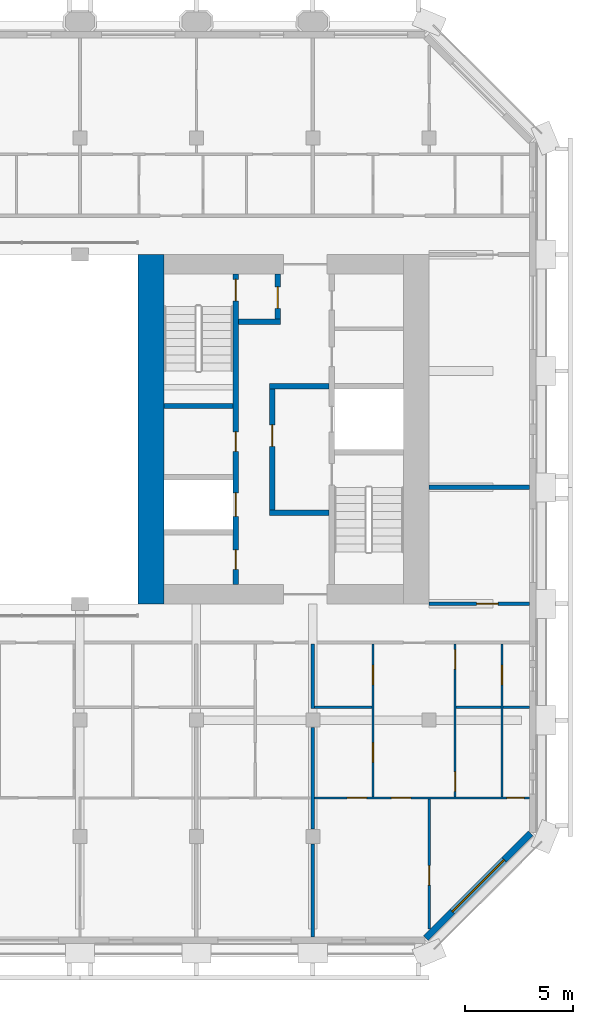
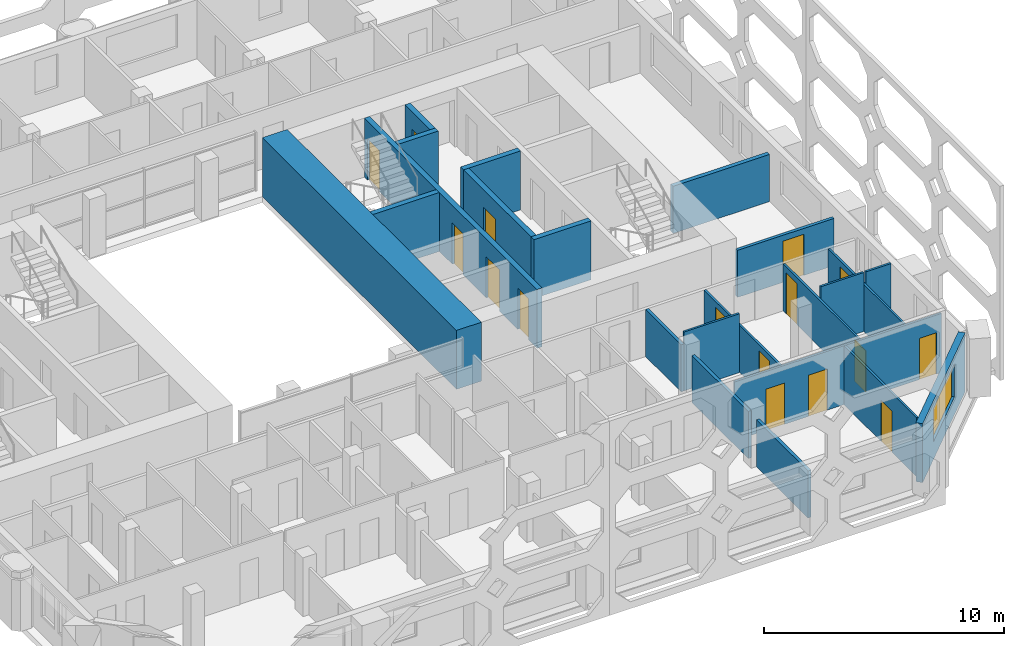
# One storey, part 8 of 15: 22 walls, 16 doors, 1 window, 17 openings.
"""IFC4 building model written with IfcOpenShell, lengths in metres."""

from ifc_helpers import new_model, si_unit, direction, frame, frame_2d, origin, place, context, subcontext, project, spatial, rectangle, extrude, material, layer, layer_set, type_object, element, fill, save


model = new_model("IFC4")

# Units and contexts
model_context = context("Model", 3, precision=1e-05, world=origin(), true_north=direction((0.0, 1.0)))
body_context = subcontext(model_context, "Body", "Model", "MODEL_VIEW")
ifc_project = project(units=[si_unit("LENGTHUNIT", "METRE"), si_unit("AREAUNIT", "SQUARE_METRE"), si_unit("VOLUMEUNIT", "CUBIC_METRE"), si_unit("PLANEANGLEUNIT", "RADIAN"), si_unit("MASSUNIT", "GRAM", prefix="KILO")], contexts=[model_context])

# Site, building, storey
site_placement = place(None, origin())
site = spatial("IfcSite", under=ifc_project, at=site_placement, CompositionType="ELEMENT")
building_placement = place(site_placement, origin())
building = spatial("IfcBuilding", under=site, at=building_placement, Name="Tabaq Tower and Sports Hall", CompositionType="ELEMENT")
storey_placement = place(building_placement, frame((0.0, 0.0, 278.5)))
storey = spatial("IfcBuildingStorey", under=building, at=storey_placement, Name="L68", CompositionType="ELEMENT", Elevation=278.5)

# Walls
ifc_material_1 = material(Name="Concrete C40/50", Category="concrete")
ifc_layer_1 = layer(ifc_material_1, 1.199951171875)
ifc_layer_set_1 = layer_set([ifc_layer_1], Name="Core wall 1200 Concrete C40/50")
wall_type_1 = type_object("IfcWallType", Name="Core wall 1200 Concrete C40/50", PredefinedType="SOLIDWALL", material=ifc_layer_set_1)
wall_1_placement = place(storey_placement, frame((30.300048828125, 16.199951171875, 0.0), z_axis=(0.0, 0.0, 1.0), x_axis=(0.0, 1.0, 0.0)))
element("IfcWall", 1, at=wall_1_placement, inside=storey, type_object=wall_type_1, Name="Core wall E L68", PredefinedType="SOLIDWALL", context=body_context, shape_type="SweptSolid", body=[
    extrude(rectangle(XDim=16.199951171875, YDim=1.199951171875, at=frame_2d((8.10009765625, 0.0))), origin(), (0.0, 0.0, 1.0), 3.0),
])
ifc_material_2 = material(Name="Blockwork", Category="masonry")
ifc_layer_2 = layer(ifc_material_2, 0.199951171875)
ifc_layer_set_2 = layer_set([ifc_layer_2], Name="Fire compartment wall 200 Blockwork")
wall_type_2 = type_object("IfcWallType", Name="Fire compartment wall 200 Blockwork", PredefinedType="PARTITIONING", material=ifc_layer_set_2)
wall_2_placement = place(storey_placement, frame((43.199951171875, 21.60009765625, 0.0), z_axis=(0.0, 0.0, 1.0), x_axis=(1.0, 0.0, 0.0)))
element("IfcWall", 2, at=wall_2_placement, inside=storey, type_object=wall_type_2, Name="Compartment wall L68", PredefinedType="PARTITIONING", context=body_context, shape_type="SweptSolid", body=[
    extrude(rectangle(XDim=4.649169921875, YDim=0.199951171875, at=frame_2d((2.32470703125, 0.0))), origin(), (0.0, 0.0, 1.0), 2.39990234375),
])

# Wall, opening, door
ifc_material_3 = material(Name="Gypsum board on steel studs", Category="steel")
ifc_layer_3 = layer(ifc_material_3, 0.10009765625)
ifc_layer_set_3 = layer_set([ifc_layer_3], Name="Partition 100 Gypsum board")
wall_type_3 = type_object("IfcWallType", Name="Partition 100 Gypsum board", PredefinedType="PARTITIONING", material=ifc_layer_set_3)
wall_3_placement = place(storey_placement, frame((43.199951171875, 1.112060546875, 0.0), z_axis=(0.0, 0.0, 1.0), x_axis=(0.0, 1.0, 0.0)))
wall_3 = element("IfcWall", 3, at=wall_3_placement, inside=storey, type_object=wall_type_3, Name="Partition wall L68", PredefinedType="PARTITIONING", context=body_context, shape_type="SweptSolid", body=[
    extrude(rectangle(XDim=6.037841796875, YDim=0.10009765625, at=frame_2d((3.01904296875, 0.0))), origin(), (0.0, 0.0, 1.0), 3.0),
])
opening_1_placement = place(wall_3_placement, frame((2.037841796875, 0.0, 0.0)))
opening_1 = element("IfcOpeningElement", 4, at=opening_1_placement, cuts=wall_3, Name="Opening L68-047", PredefinedType="OPENING", context=body_context, shape_type="SweptSolid", body=[
    extrude(rectangle(XDim=0.89990234375, YDim=2.10009765625, at=frame_2d((0.449951171875, 1.050048828125))), frame((0.0, 0.050048828125, 0.0), z_axis=(0.0, -1.0, 0.0), x_axis=(1.0, 0.0, 0.0)), (0.0, 0.0, 1.0), 0.10009765625),
])
ifc_material_4 = material(Name="Timber leaf in steel frame", Category="steel")
door_type_1 = type_object("IfcDoorType", Name="Internal door 900 left hand", OperationType="SINGLE_SWING_LEFT", PredefinedType="DOOR", material=ifc_material_4)
door_1_placement = place(opening_1_placement, origin())
door_1 = element("IfcDoor", 5, at=door_1_placement, inside=storey, type_object=door_type_1, Name="Internal door L68-047", OperationType="SINGLE_SWING_LEFT", OverallHeight=2.10009765625, OverallWidth=0.89990234375, PredefinedType="DOOR", context=body_context, shape_type="SweptSolid", body=[
    extrude(rectangle(XDim=0.89990234375, YDim=2.10009765625, at=frame_2d((0.449951171875, 1.050048828125))), frame((0.0, 0.02490234375, 0.0), z_axis=(0.0, -1.0, 0.0), x_axis=(1.0, 0.0, 0.0)), (0.0, 0.0, 1.0), 0.050048828125),
])
fill(opening_1, door_1)

# Wall, openings, doors
wall_4_placement = place(storey_placement, frame((47.84912109375, 7.199951171875, 0.0), z_axis=(0.0, 0.0, 1.0), x_axis=(-1.0, 0.0, 0.0)))
wall_4 = element("IfcWall", 6, at=wall_4_placement, inside=storey, type_object=wall_type_3, Name="Partition wall L68", PredefinedType="PARTITIONING", context=body_context, shape_type="SweptSolid", body=[
    extrude(rectangle(XDim=9.97412109375, YDim=0.10009765625, at=frame_2d((4.987060546875, 0.0))), origin(), (0.0, 0.0, 1.0), 3.0),
])
opening_2_placement = place(wall_4_placement, frame((7.554931640625, 0.0, 0.0)))
opening_2 = element("IfcOpeningElement", 7, at=opening_2_placement, cuts=wall_4, Name="Opening L68-048", PredefinedType="OPENING", context=body_context, shape_type="SweptSolid", body=[
    extrude(rectangle(XDim=0.89990234375, YDim=2.10009765625, at=frame_2d((0.449951171875, 1.050048828125))), frame((0.0, 0.050048828125, 0.0), z_axis=(0.0, -1.0, 0.0), x_axis=(1.0, 0.0, 0.0)), (0.0, 0.0, 1.0), 0.10009765625),
])
opening_3_placement = place(wall_4_placement, frame((5.501953125, 0.0, 0.0)))
opening_3 = element("IfcOpeningElement", 8, at=opening_3_placement, cuts=wall_4, Name="Opening L68-056", PredefinedType="OPENING", context=body_context, shape_type="SweptSolid", body=[
    extrude(rectangle(XDim=0.89990234375, YDim=2.10009765625, at=frame_2d((0.449951171875, 1.050048828125))), frame((0.0, 0.050048828125, 0.0), z_axis=(0.0, -1.0, 0.0), x_axis=(1.0, 0.0, 0.0)), (0.0, 0.0, 1.0), 0.10009765625),
])
opening_4_placement = place(wall_4_placement, frame((0.25, 0.0, 0.0)))
opening_4 = element("IfcOpeningElement", 9, at=opening_4_placement, cuts=wall_4, Name="Opening L68-066", PredefinedType="OPENING", context=body_context, shape_type="SweptSolid", body=[
    extrude(rectangle(XDim=0.800048828125, YDim=2.10009765625, at=frame_2d((0.39990234375, 1.050048828125))), frame((0.0, 0.050048828125, 0.0), z_axis=(0.0, -1.0, 0.0), x_axis=(1.0, 0.0, 0.0)), (0.0, 0.0, 1.0), 0.10009765625),
])
ifc_material_5 = material(Name="Timber leaf in steel frame", Category="steel")
door_type_2 = type_object("IfcDoorType", Name="Internal door 800 right hand", OperationType="SINGLE_SWING_RIGHT", PredefinedType="DOOR", material=ifc_material_5)
door_2_placement = place(opening_4_placement, origin())
door_2 = element("IfcDoor", 10, at=door_2_placement, inside=storey, type_object=door_type_2, Name="Internal door L68-066", OperationType="SINGLE_SWING_RIGHT", OverallHeight=2.10009765625, OverallWidth=0.800048828125, PredefinedType="DOOR", context=body_context, shape_type="SweptSolid", body=[
    extrude(rectangle(XDim=0.800048828125, YDim=2.10009765625, at=frame_2d((0.39990234375, 1.050048828125))), frame((0.0, 0.02490234375, 0.0), z_axis=(0.0, -1.0, 0.0), x_axis=(1.0, 0.0, 0.0)), (0.0, 0.0, 1.0), 0.050048828125),
])
fill(opening_4, door_2)
door_3_placement = place(opening_2_placement, origin())
door_3 = element("IfcDoor", 11, at=door_3_placement, inside=storey, type_object=door_type_1, Name="Internal door L68-048", OperationType="SINGLE_SWING_LEFT", OverallHeight=2.10009765625, OverallWidth=0.89990234375, PredefinedType="DOOR", context=body_context, shape_type="SweptSolid", body=[
    extrude(rectangle(XDim=0.89990234375, YDim=2.10009765625, at=frame_2d((0.449951171875, 1.050048828125))), frame((0.0, 0.02490234375, 0.0), z_axis=(0.0, -1.0, 0.0), x_axis=(1.0, 0.0, 0.0)), (0.0, 0.0, 1.0), 0.050048828125),
])
fill(opening_2, door_3)
ifc_material_6 = material(Name="Timber leaf in steel frame", Category="steel")
door_type_3 = type_object("IfcDoorType", Name="Internal door 900 right hand", OperationType="SINGLE_SWING_RIGHT", PredefinedType="DOOR", material=ifc_material_6)
door_4_placement = place(opening_3_placement, origin())
door_4 = element("IfcDoor", 12, at=door_4_placement, inside=storey, type_object=door_type_3, Name="Internal door L68-056", OperationType="SINGLE_SWING_RIGHT", OverallHeight=2.10009765625, OverallWidth=0.89990234375, PredefinedType="DOOR", context=body_context, shape_type="SweptSolid", body=[
    extrude(rectangle(XDim=0.89990234375, YDim=2.10009765625, at=frame_2d((0.449951171875, 1.050048828125))), frame((0.0, 0.02490234375, 0.0), z_axis=(0.0, -1.0, 0.0), x_axis=(1.0, 0.0, 0.0)), (0.0, 0.0, 1.0), 0.050048828125),
])
fill(opening_3, door_4)

# Wall
wall_5_placement = place(storey_placement, frame((40.5439453125, 11.39990234375, 0.0), z_axis=(0.0, 0.0, 1.0), x_axis=(-1.0, 0.0, 0.0)))
element("IfcWall", 13, at=wall_5_placement, inside=storey, type_object=wall_type_3, Name="Partition wall L68", PredefinedType="PARTITIONING", context=body_context, shape_type="SweptSolid", body=[
    extrude(rectangle(XDim=2.6689453125, YDim=0.10009765625, at=frame_2d((1.33447265625, 0.0))), origin(), (0.0, 0.0, 1.0), 3.0),
])

# Wall, openings, doors
wall_6_placement = place(storey_placement, frame((40.593994140625, 7.25, 0.0), z_axis=(0.0, 0.0, 1.0), x_axis=(0.0, 1.0, 0.0)))
wall_6 = element("IfcWall", 14, at=wall_6_placement, inside=storey, type_object=wall_type_3, Name="Partition wall L68", PredefinedType="PARTITIONING", context=body_context, shape_type="SweptSolid", body=[
    extrude(rectangle(XDim=7.074951171875, YDim=0.10009765625, at=frame_2d((3.53759765625, 0.0))), origin(), (0.0, 0.0, 1.0), 2.39990234375),
])
opening_5_placement = place(wall_6_placement, frame((5.199951171875, 0.0, 0.0)))
opening_5 = element("IfcOpeningElement", 15, at=opening_5_placement, cuts=wall_6, Name="Opening L68-020", PredefinedType="OPENING", context=body_context, shape_type="SweptSolid", body=[
    extrude(rectangle(XDim=0.89990234375, YDim=2.10009765625, at=frame_2d((0.449951171875, 1.050048828125))), frame((0.0, 0.050048828125, 0.0), z_axis=(0.0, -1.0, 0.0), x_axis=(1.0, 0.0, 0.0)), (0.0, 0.0, 1.0), 0.10009765625),
])
opening_6_placement = place(wall_6_placement, frame((1.60009765625, 0.0, 0.0)))
opening_6 = element("IfcOpeningElement", 16, at=opening_6_placement, cuts=wall_6, Name="Opening L68-049", PredefinedType="OPENING", context=body_context, shape_type="SweptSolid", body=[
    extrude(rectangle(XDim=0.89990234375, YDim=2.10009765625, at=frame_2d((0.449951171875, 1.050048828125))), frame((0.0, 0.050048828125, 0.0), z_axis=(0.0, -1.0, 0.0), x_axis=(1.0, 0.0, 0.0)), (0.0, 0.0, 1.0), 0.10009765625),
])
door_5_placement = place(opening_5_placement, origin())
door_5 = element("IfcDoor", 17, at=door_5_placement, inside=storey, type_object=door_type_1, Name="Internal door L68-020", OperationType="SINGLE_SWING_LEFT", OverallHeight=2.10009765625, OverallWidth=0.89990234375, PredefinedType="DOOR", context=body_context, shape_type="SweptSolid", body=[
    extrude(rectangle(XDim=0.89990234375, YDim=2.10009765625, at=frame_2d((0.449951171875, 1.050048828125))), frame((0.0, 0.02490234375, 0.0), z_axis=(0.0, -1.0, 0.0), x_axis=(1.0, 0.0, 0.0)), (0.0, 0.0, 1.0), 0.050048828125),
])
fill(opening_5, door_5)
door_6_placement = place(opening_6_placement, origin())
door_6 = element("IfcDoor", 18, at=door_6_placement, inside=storey, type_object=door_type_3, Name="Internal door L68-049", OperationType="SINGLE_SWING_RIGHT", OverallHeight=2.10009765625, OverallWidth=0.89990234375, PredefinedType="DOOR", context=body_context, shape_type="SweptSolid", body=[
    extrude(rectangle(XDim=0.89990234375, YDim=2.10009765625, at=frame_2d((0.449951171875, 1.050048828125))), frame((0.0, 0.02490234375, 0.0), z_axis=(0.0, -1.0, 0.0), x_axis=(1.0, 0.0, 0.0)), (0.0, 0.0, 1.0), 0.050048828125),
])
fill(opening_6, door_6)

wall_7_placement = place(storey_placement, frame((44.405029296875, 7.25, 0.0), z_axis=(0.0, 0.0, 1.0), x_axis=(0.0, 1.0, 0.0)))
wall_7 = element("IfcWall", 19, at=wall_7_placement, inside=storey, type_object=wall_type_3, Name="Partition wall L68", PredefinedType="PARTITIONING", context=body_context, shape_type="SweptSolid", body=[
    extrude(rectangle(XDim=7.074951171875, YDim=0.10009765625, at=frame_2d((3.53759765625, 0.0))), origin(), (0.0, 0.0, 1.0), 2.39990234375),
])
opening_7_placement = place(wall_7_placement, frame((0.25, 0.0, 0.0)))
opening_7 = element("IfcOpeningElement", 20, at=opening_7_placement, cuts=wall_7, Name="Opening L68-021", PredefinedType="OPENING", context=body_context, shape_type="SweptSolid", body=[
    extrude(rectangle(XDim=0.89990234375, YDim=2.10009765625, at=frame_2d((0.449951171875, 1.050048828125))), frame((0.0, 0.050048828125, 0.0), z_axis=(0.0, -1.0, 0.0), x_axis=(1.0, 0.0, 0.0)), (0.0, 0.0, 1.0), 0.10009765625),
])
opening_8_placement = place(wall_7_placement, frame((5.925048828125, 0.0, 0.0)))
opening_8 = element("IfcOpeningElement", 21, at=opening_8_placement, cuts=wall_7, Name="Opening L68-022", PredefinedType="OPENING", context=body_context, shape_type="SweptSolid", body=[
    extrude(rectangle(XDim=0.89990234375, YDim=2.10009765625, at=frame_2d((0.449951171875, 1.050048828125))), frame((0.0, 0.050048828125, 0.0), z_axis=(0.0, -1.0, 0.0), x_axis=(1.0, 0.0, 0.0)), (0.0, 0.0, 1.0), 0.10009765625),
])
door_7_placement = place(opening_7_placement, origin())
door_7 = element("IfcDoor", 22, at=door_7_placement, inside=storey, type_object=door_type_3, Name="Internal door L68-021", OperationType="SINGLE_SWING_RIGHT", OverallHeight=2.10009765625, OverallWidth=0.89990234375, PredefinedType="DOOR", context=body_context, shape_type="SweptSolid", body=[
    extrude(rectangle(XDim=0.89990234375, YDim=2.10009765625, at=frame_2d((0.449951171875, 1.050048828125))), frame((0.0, 0.02490234375, 0.0), z_axis=(0.0, -1.0, 0.0), x_axis=(1.0, 0.0, 0.0)), (0.0, 0.0, 1.0), 0.050048828125),
])
fill(opening_7, door_7)
door_8_placement = place(opening_8_placement, origin())
door_8 = element("IfcDoor", 23, at=door_8_placement, inside=storey, type_object=door_type_3, Name="Internal door L68-022", OperationType="SINGLE_SWING_RIGHT", OverallHeight=2.10009765625, OverallWidth=0.89990234375, PredefinedType="DOOR", context=body_context, shape_type="SweptSolid", body=[
    extrude(rectangle(XDim=0.89990234375, YDim=2.10009765625, at=frame_2d((0.449951171875, 1.050048828125))), frame((0.0, 0.02490234375, 0.0), z_axis=(0.0, -1.0, 0.0), x_axis=(1.0, 0.0, 0.0)), (0.0, 0.0, 1.0), 0.050048828125),
])
fill(opening_8, door_8)

# Wall
wall_8_placement = place(storey_placement, frame((46.528076171875, 11.39990234375, 0.0), z_axis=(0.0, 0.0, 1.0), x_axis=(-1.0, 0.0, 0.0)))
element("IfcWall", 24, at=wall_8_placement, inside=storey, type_object=wall_type_3, Name="Partition wall L68", PredefinedType="PARTITIONING", context=body_context, shape_type="SweptSolid", body=[
    extrude(rectangle(XDim=2.072998046875, YDim=0.10009765625, at=frame_2d((1.03662109375, 0.0))), origin(), (0.0, 0.0, 1.0), 3.0),
])

# Wall, opening, door
wall_9_placement = place(storey_placement, frame((46.577880859375, 7.25, 0.0), z_axis=(0.0, 0.0, 1.0), x_axis=(0.0, 1.0, 0.0)))
wall_9 = element("IfcWall", 25, at=wall_9_placement, inside=storey, type_object=wall_type_3, Name="Partition wall L68", PredefinedType="PARTITIONING", context=body_context, shape_type="SweptSolid", body=[
    extrude(rectangle(XDim=7.074951171875, YDim=0.10009765625, at=frame_2d((3.53759765625, 0.0))), origin(), (0.0, 0.0, 1.0), 2.39990234375),
])
opening_9_placement = place(wall_9_placement, frame((5.199951171875, 0.0, 0.0)))
opening_9 = element("IfcOpeningElement", 26, at=opening_9_placement, cuts=wall_9, Name="Opening L68-068", PredefinedType="OPENING", context=body_context, shape_type="SweptSolid", body=[
    extrude(rectangle(XDim=0.89990234375, YDim=2.10009765625, at=frame_2d((0.449951171875, 1.050048828125))), frame((0.0, 0.050048828125, 0.0), z_axis=(0.0, -1.0, 0.0), x_axis=(1.0, 0.0, 0.0)), (0.0, 0.0, 1.0), 0.10009765625),
])
door_9_placement = place(opening_9_placement, origin())
door_9 = element("IfcDoor", 27, at=door_9_placement, inside=storey, type_object=door_type_3, Name="Internal door L68-068", OperationType="SINGLE_SWING_RIGHT", OverallHeight=2.10009765625, OverallWidth=0.89990234375, PredefinedType="DOOR", context=body_context, shape_type="SweptSolid", body=[
    extrude(rectangle(XDim=0.89990234375, YDim=2.10009765625, at=frame_2d((0.449951171875, 1.050048828125))), frame((0.0, 0.02490234375, 0.0), z_axis=(0.0, -1.0, 0.0), x_axis=(1.0, 0.0, 0.0)), (0.0, 0.0, 1.0), 0.050048828125),
])
fill(opening_9, door_9)

# Walls
wall_10_placement = place(storey_placement, frame((47.84912109375, 11.39990234375, 0.0), z_axis=(0.0, 0.0, 1.0), x_axis=(-1.0, 0.0, 0.0)))
element("IfcWall", 28, at=wall_10_placement, inside=storey, type_object=wall_type_3, Name="Partition wall L68", PredefinedType="PARTITIONING", context=body_context, shape_type="SweptSolid", body=[
    extrude(rectangle(XDim=1.22119140625, YDim=0.10009765625, at=frame_2d((0.610595703125, 0.0))), origin(), (0.0, 0.0, 1.0), 3.0),
])
ifc_material_7 = material(Name="Blockwork", Category="masonry")
ifc_layer_4 = layer(ifc_material_7, 0.14990234375)
ifc_layer_set_4 = layer_set([ifc_layer_4], Name="Separating wall 150 Blockwork")
wall_type_4 = type_object("IfcWallType", Name="Separating wall 150 Blockwork", PredefinedType="PARTITIONING", material=ifc_layer_set_4)
wall_11_placement = place(storey_placement, frame((37.800048828125, 0.7509765625, 0.0), z_axis=(0.0, 0.0, 1.0), x_axis=(0.0, 1.0, 0.0)))
element("IfcWall", 29, at=wall_11_placement, inside=storey, type_object=wall_type_4, Name="Separating wall L68", PredefinedType="PARTITIONING", context=body_context, shape_type="SweptSolid", body=[
    extrude(rectangle(XDim=4.303955078125, YDim=0.14990234375, at=frame_2d((2.15185546875, 0.0))), origin(), (0.0, 0.0, 1.0), 2.39990234375),
])
wall_12_placement = place(storey_placement, frame((37.800048828125, 5.7451171875, 0.0), z_axis=(0.0, 0.0, 1.0), x_axis=(0.0, 1.0, 0.0)))
element("IfcWall", 30, at=wall_12_placement, inside=storey, type_object=wall_type_4, Name="Separating wall L68", PredefinedType="PARTITIONING", context=body_context, shape_type="SweptSolid", body=[
    extrude(rectangle(XDim=4.7099609375, YDim=0.14990234375, at=frame_2d((2.35498046875, 0.0))), origin(), (0.0, 0.0, 1.0), 2.39990234375),
])
wall_13_placement = place(storey_placement, frame((37.800048828125, 11.35009765625, 0.0), z_axis=(0.0, 0.0, 1.0), x_axis=(0.0, 1.0, 0.0)))
element("IfcWall", 31, at=wall_13_placement, inside=storey, type_object=wall_type_4, Name="Separating wall L68", PredefinedType="PARTITIONING", context=body_context, shape_type="SweptSolid", body=[
    extrude(rectangle(XDim=2.974853515625, YDim=0.14990234375, at=frame_2d((1.4873046875, 0.0))), origin(), (0.0, 0.0, 1.0), 2.39990234375),
])

# Wall, opening, door
wall_14_placement = place(storey_placement, frame((43.199951171875, 16.199951171875, 0.0), z_axis=(0.0, 0.0, 1.0), x_axis=(1.0, 0.0, 0.0)))
wall_14 = element("IfcWall", 32, at=wall_14_placement, inside=storey, type_object=wall_type_4, Name="Separating wall L68", PredefinedType="PARTITIONING", context=body_context, shape_type="SweptSolid", body=[
    extrude(rectangle(XDim=4.649169921875, YDim=0.14990234375, at=frame_2d((2.32470703125, 0.0))), origin(), (0.0, 0.0, 1.0), 2.39990234375),
])
opening_10_placement = place(wall_14_placement, frame((2.199951171875, 0.0, 0.0)))
opening_10 = element("IfcOpeningElement", 33, at=opening_10_placement, cuts=wall_14, Name="Opening L68-023", PredefinedType="OPENING", context=body_context, shape_type="SweptSolid", body=[
    extrude(rectangle(XDim=1.0, YDim=2.10009765625, at=frame_2d((0.5, 1.050048828125))), frame((0.0, 0.074951171875, 0.0), z_axis=(0.0, -1.0, 0.0), x_axis=(1.0, 0.0, 0.0)), (0.0, 0.0, 1.0), 0.14990234375),
])
ifc_material_8 = material(Name="Timber leaf in steel frame", Category="steel")
door_type_4 = type_object("IfcDoorType", Name="Internal door 1000 left hand", OperationType="SINGLE_SWING_LEFT", PredefinedType="DOOR", material=ifc_material_8)
door_10_placement = place(opening_10_placement, origin())
door_10 = element("IfcDoor", 34, at=door_10_placement, inside=storey, type_object=door_type_4, Name="Internal door L68-023", OperationType="SINGLE_SWING_LEFT", OverallHeight=2.10009765625, OverallWidth=1.0, PredefinedType="DOOR", context=body_context, shape_type="SweptSolid", body=[
    extrude(rectangle(XDim=1.0, YDim=2.10009765625, at=frame_2d((0.5, 1.050048828125))), frame((0.0, 0.02490234375, 0.0), z_axis=(0.0, -1.0, 0.0), x_axis=(1.0, 0.0, 0.0)), (0.0, 0.0, 1.0), 0.050048828125),
])
fill(opening_10, door_10)

# Wall, openings, doors
ifc_material_9 = material(Name="Concrete C40/50", Category="concrete")
ifc_layer_5 = layer(ifc_material_9, 0.25)
ifc_layer_set_5 = layer_set([ifc_layer_5], Name="Shaft and stair wall 250 Concrete C40/50")
wall_type_5 = type_object("IfcWallType", Name="Shaft and stair wall 250 Concrete C40/50", PredefinedType="SOLIDWALL", material=ifc_layer_set_5)
wall_15_placement = place(storey_placement, frame((34.22509765625, 17.10009765625, 0.0), z_axis=(0.0, 0.0, 1.0), x_axis=(0.0, 1.0, 0.0)))
wall_15 = element("IfcWall", 35, at=wall_15_placement, inside=storey, type_object=wall_type_5, Name="Shaft wall E L68", PredefinedType="SOLIDWALL", context=body_context, shape_type="SweptSolid", body=[
    extrude(rectangle(XDim=14.39990234375, YDim=0.25, at=frame_2d((7.199951171875, 0.0))), origin(), (0.0, 0.0, 1.0), 3.0),
])
opening_11_placement = place(wall_15_placement, frame((13.14990234375, 0.0, 0.0)))
opening_11 = element("IfcOpeningElement", 36, at=opening_11_placement, cuts=wall_15, Name="Opening SD-EL68-05", PredefinedType="OPENING", context=body_context, shape_type="SweptSolid", body=[
    extrude(rectangle(XDim=1.0, YDim=2.10009765625, at=frame_2d((0.5, 1.050048828125))), frame((0.0, 0.125, 0.0), z_axis=(0.0, -1.0, 0.0), x_axis=(1.0, 0.0, 0.0)), (0.0, 0.0, 1.0), 0.25),
])
opening_12_placement = place(wall_15_placement, frame((3.14990234375, 0.0, 0.0)))
opening_12 = element("IfcOpeningElement", 37, at=opening_12_placement, cuts=wall_15, Name="Opening LD-HR2-L68", PredefinedType="OPENING", context=body_context, shape_type="SweptSolid", body=[
    extrude(rectangle(XDim=1.10009765625, YDim=2.10009765625, at=frame_2d((0.550048828125, 1.050048828125))), frame((0.0, 0.125, 0.0), z_axis=(0.0, -1.0, 0.0), x_axis=(1.0, 0.0, 0.0)), (0.0, 0.0, 1.0), 0.25),
])
opening_13_placement = place(wall_15_placement, frame((0.699951171875, 0.0, 0.0)))
opening_13 = element("IfcOpeningElement", 38, at=opening_13_placement, cuts=wall_15, Name="Opening RD-EL68-11", PredefinedType="OPENING", context=body_context, shape_type="SweptSolid", body=[
    extrude(rectangle(XDim=0.89990234375, YDim=2.10009765625, at=frame_2d((0.449951171875, 1.050048828125))), frame((0.0, 0.125, 0.0), z_axis=(0.0, -1.0, 0.0), x_axis=(1.0, 0.0, 0.0)), (0.0, 0.0, 1.0), 0.25),
])
opening_14_placement = place(wall_15_placement, frame((6.175048828125, 0.0, 0.0)))
opening_14 = element("IfcOpeningElement", 39, at=opening_14_placement, cuts=wall_15, Name="Opening RD-EL68-12", PredefinedType="OPENING", context=body_context, shape_type="SweptSolid", body=[
    extrude(rectangle(XDim=0.89990234375, YDim=2.10009765625, at=frame_2d((0.449951171875, 1.050048828125))), frame((0.0, 0.125, 0.0), z_axis=(0.0, -1.0, 0.0), x_axis=(1.0, 0.0, 0.0)), (0.0, 0.0, 1.0), 0.25),
])
ifc_material_10 = material(Name="Steel fire door", Category="steel")
door_type_5 = type_object("IfcDoorType", Name="Core room door 900", OperationType="SINGLE_SWING_LEFT", PredefinedType="DOOR", material=ifc_material_10)
door_11_placement = place(opening_13_placement, origin())
door_11 = element("IfcDoor", 40, at=door_11_placement, inside=storey, type_object=door_type_5, Name="Door Electrical Riser Room E L68", OperationType="SINGLE_SWING_LEFT", OverallHeight=2.10009765625, OverallWidth=0.89990234375, PredefinedType="DOOR", context=body_context, shape_type="SweptSolid", body=[
    extrude(rectangle(XDim=0.89990234375, YDim=2.10009765625, at=frame_2d((0.449951171875, 1.050048828125))), frame((0.0, 0.02490234375, 0.0), z_axis=(0.0, -1.0, 0.0), x_axis=(1.0, 0.0, 0.0)), (0.0, 0.0, 1.0), 0.050048828125),
])
fill(opening_13, door_11)
door_12_placement = place(opening_14_placement, origin())
door_12 = element("IfcDoor", 41, at=door_12_placement, inside=storey, type_object=door_type_5, Name="Door Riser Room E L68", OperationType="SINGLE_SWING_LEFT", OverallHeight=2.10009765625, OverallWidth=0.89990234375, PredefinedType="DOOR", context=body_context, shape_type="SweptSolid", body=[
    extrude(rectangle(XDim=0.89990234375, YDim=2.10009765625, at=frame_2d((0.449951171875, 1.050048828125))), frame((0.0, 0.02490234375, 0.0), z_axis=(0.0, -1.0, 0.0), x_axis=(1.0, 0.0, 0.0)), (0.0, 0.0, 1.0), 0.050048828125),
])
fill(opening_14, door_12)
ifc_material_11 = material(Name="Stainless steel", Category="steel")
door_type_6 = type_object("IfcDoorType", Name="Lift landing door 1100", OperationType="DOUBLE_DOOR_SLIDING", PredefinedType="DOOR", material=ifc_material_11)
door_13_placement = place(opening_12_placement, origin())
door_13 = element("IfcDoor", 42, at=door_13_placement, inside=storey, type_object=door_type_6, Name="Lift landing door HR2 E L68", OperationType="DOUBLE_DOOR_SLIDING", OverallHeight=2.10009765625, OverallWidth=1.10009765625, PredefinedType="DOOR", context=body_context, shape_type="SweptSolid", body=[
    extrude(rectangle(XDim=1.10009765625, YDim=2.10009765625, at=frame_2d((0.550048828125, 1.050048828125))), frame((0.0, 0.02490234375, 0.0), z_axis=(0.0, -1.0, 0.0), x_axis=(1.0, 0.0, 0.0)), (0.0, 0.0, 1.0), 0.050048828125),
])
fill(opening_12, door_13)
ifc_material_12 = material(Name="Steel fire door", Category="steel")
door_type_7 = type_object("IfcDoorType", Name="Stair door 1000", OperationType="SINGLE_SWING_LEFT", PredefinedType="DOOR", material=ifc_material_12)
door_14_placement = place(opening_11_placement, origin())
door_14 = element("IfcDoor", 43, at=door_14_placement, inside=storey, type_object=door_type_7, Name="Stair door ST4 E L68", OperationType="SINGLE_SWING_LEFT", OverallHeight=2.10009765625, OverallWidth=1.0, PredefinedType="DOOR", context=body_context, shape_type="SweptSolid", body=[
    extrude(rectangle(XDim=1.0, YDim=2.10009765625, at=frame_2d((0.5, 1.050048828125))), frame((0.0, 0.02490234375, 0.0), z_axis=(0.0, -1.0, 0.0), x_axis=(1.0, 0.0, 0.0)), (0.0, 0.0, 1.0), 0.050048828125),
])
fill(opening_11, door_14)

# Walls
wall_16_placement = place(storey_placement, frame((30.89990234375, 25.375, 0.0), z_axis=(0.0, 0.0, 1.0), x_axis=(1.0, 0.0, 0.0)))
element("IfcWall", 44, at=wall_16_placement, inside=storey, type_object=wall_type_5, Name="Stair enclosure wall E L68", PredefinedType="SOLIDWALL", context=body_context, shape_type="SweptSolid", body=[
    extrude(rectangle(XDim=3.2001953125, YDim=0.25, at=frame_2d((1.60009765625, 0.0))), origin(), (0.0, 0.0, 1.0), 3.0),
])
for number, where, z_axis, x_axis, name in (
    (45, (35.800048828125, 26.300048828125, 0.0), (0.0, 0.0, 1.0), (1.0, 0.0, 0.0), "Fire-fighting lobby wall E L68"),
    (46, (35.800048828125, 20.425048828125, 0.0), (0.0, 0.0, 1.0), (1.0, 0.0, 0.0), "Fire-fighting lobby wall E L68"),
):
    element("IfcWall", number, at=place(storey_placement, frame(where, z_axis=z_axis, x_axis=x_axis)), inside=storey, type_object=wall_type_5, Name=name, PredefinedType="SOLIDWALL", context=body_context, shape_type="SweptSolid", body=[
        extrude(rectangle(XDim=2.75, YDim=0.25, at=frame_2d((1.375, 0.0))), origin(), (0.0, 0.0, 1.0), 3.0),
    ])

# Wall, opening, door
wall_17_placement = place(storey_placement, frame((36.175048828125, 29.39990234375, 0.0), z_axis=(0.0, 0.0, 1.0), x_axis=(0.0, 1.0, 0.0)))
wall_17 = element("IfcWall", 47, at=wall_17_placement, inside=storey, type_object=wall_type_5, Name="Fire-fighting lobby wall E L68", PredefinedType="SOLIDWALL", context=body_context, shape_type="SweptSolid", body=[
    extrude(rectangle(XDim=2.10009765625, YDim=0.25, at=frame_2d((1.050048828125, 0.0))), origin(), (0.0, 0.0, 1.0), 3.0),
])
opening_15_placement = place(wall_17_placement, frame((0.5, 0.0, 0.0)))
opening_15 = element("IfcOpeningElement", 48, at=opening_15_placement, cuts=wall_17, Name="Opening FD-EL68-06", PredefinedType="OPENING", context=body_context, shape_type="SweptSolid", body=[
    extrude(rectangle(XDim=1.0, YDim=2.10009765625, at=frame_2d((0.5, 1.050048828125))), frame((0.0, 0.125, 0.0), z_axis=(0.0, -1.0, 0.0), x_axis=(1.0, 0.0, 0.0)), (0.0, 0.0, 1.0), 0.25),
])
ifc_material_13 = material(Name="Steel fire door", Category="steel")
door_type_8 = type_object("IfcDoorType", Name="Fire-fighting lobby door 1000", OperationType="SINGLE_SWING_LEFT", PredefinedType="DOOR", material=ifc_material_13)
door_15_placement = place(opening_15_placement, origin())
door_15 = element("IfcDoor", 49, at=door_15_placement, inside=storey, type_object=door_type_8, Name="Stair lobby door E L68", OperationType="SINGLE_SWING_LEFT", OverallHeight=2.10009765625, OverallWidth=1.0, PredefinedType="DOOR", context=body_context, shape_type="SweptSolid", body=[
    extrude(rectangle(XDim=1.0, YDim=2.10009765625, at=frame_2d((0.5, 1.050048828125))), frame((0.0, 0.02490234375, 0.0), z_axis=(0.0, -1.0, 0.0), x_axis=(1.0, 0.0, 0.0)), (0.0, 0.0, 1.0), 0.050048828125),
])
fill(opening_15, door_15)

# Wall
wall_18_placement = place(storey_placement, frame((34.35009765625, 29.27490234375, 0.0), z_axis=(0.0, 0.0, 1.0), x_axis=(1.0, 0.0, 0.0)))
element("IfcWall", 50, at=wall_18_placement, inside=storey, type_object=wall_type_5, Name="Fire-fighting lobby wall E L68", PredefinedType="SOLIDWALL", context=body_context, shape_type="SweptSolid", body=[
    extrude(rectangle(XDim=1.949951171875, YDim=0.25, at=frame_2d((0.97509765625, 0.0))), origin(), (0.0, 0.0, 1.0), 3.0),
])

# Wall, opening, door
wall_19_placement = place(storey_placement, frame((35.925048828125, 20.550048828125, 0.0), z_axis=(0.0, 0.0, 1.0), x_axis=(0.0, 1.0, 0.0)))
wall_19 = element("IfcWall", 51, at=wall_19_placement, inside=storey, type_object=wall_type_5, Name="Fire-fighting lobby wall E L68", PredefinedType="SOLIDWALL", context=body_context, shape_type="SweptSolid", body=[
    extrude(rectangle(XDim=5.625, YDim=0.25, at=frame_2d((2.8125, 0.0))), origin(), (0.0, 0.0, 1.0), 3.0),
])
opening_16_placement = place(wall_19_placement, frame((2.949951171875, 0.0, 0.0)))
opening_16 = element("IfcOpeningElement", 52, at=opening_16_placement, cuts=wall_19, Name="Opening FD-EL68-04", PredefinedType="OPENING", context=body_context, shape_type="SweptSolid", body=[
    extrude(rectangle(XDim=1.0, YDim=2.10009765625, at=frame_2d((0.5, 1.050048828125))), frame((0.0, 0.125, 0.0), z_axis=(0.0, -1.0, 0.0), x_axis=(1.0, 0.0, 0.0)), (0.0, 0.0, 1.0), 0.25),
])
door_16_placement = place(opening_16_placement, origin())
door_16 = element("IfcDoor", 53, at=door_16_placement, inside=storey, type_object=door_type_8, Name="Fire-fighting lobby door E L68", OperationType="SINGLE_SWING_LEFT", OverallHeight=2.10009765625, OverallWidth=1.0, PredefinedType="DOOR", context=body_context, shape_type="SweptSolid", body=[
    extrude(rectangle(XDim=1.0, YDim=2.10009765625, at=frame_2d((0.5, 1.050048828125))), frame((0.0, 0.02490234375, 0.0), z_axis=(0.0, -1.0, 0.0), x_axis=(1.0, 0.0, 0.0)), (0.0, 0.0, 1.0), 0.050048828125),
])
fill(opening_16, door_16)

# Wall, opening, window
ifc_material_14 = material(Name="White precast concrete C60/75", Category="concrete")
ifc_layer_6 = layer(ifc_material_14, 0.300048828125)
ifc_layer_set_6 = layer_set([ifc_layer_6], Name="White precast concrete C60/75 external wall 300")
wall_type_6 = type_object("IfcWallType", Name="White precast concrete C60/75 external wall 300", PredefinedType="SOLIDWALL", material=ifc_layer_set_6)
wall_20_placement = place(storey_placement, frame((43.050537109375, 0.698974609375, 0.0), z_axis=(0.0, 0.0, 1.0), x_axis=(0.707106781187, 0.707106781187, 0.0)))
wall_20 = element("IfcWall", 54, at=wall_20_placement, inside=storey, type_object=wall_type_6, Name="External Wall L68 SE", PredefinedType="SOLIDWALL", context=body_context, shape_type="SweptSolid", body=[
    extrude(rectangle(XDim=6.85986328125, YDim=0.300048828125, at=frame_2d((3.429931640625, 0.0))), origin(), (0.0, 0.0, 1.0), 3.0),
])
opening_17_placement = place(wall_20_placement, frame((1.729736328125, 0.0, 0.89990234375)))
opening_17 = element("IfcOpeningElement", 55, at=opening_17_placement, cuts=wall_20, Name="Opening W1A", PredefinedType="OPENING", context=body_context, shape_type="SweptSolid", body=[
    extrude(rectangle(XDim=3.39990234375, YDim=1.699951171875, at=frame_2d((1.699951171875, 0.85009765625))), frame((0.0, 0.16015625, 0.0), z_axis=(0.0, -1.0, 0.0), x_axis=(1.0, 0.0, 0.0)), (0.0, 0.0, 1.0), 0.320068359375),
])
ifc_material_15 = material(Name="Aluminium framed clear glazing", Category="aluminium")
window_type = type_object("IfcWindowType", Name="Window W1A", PartitioningType="SINGLE_PANEL", PredefinedType="WINDOW", material=ifc_material_15)
window_placement = place(opening_17_placement, origin())
window = element("IfcWindow", 56, at=window_placement, inside=storey, type_object=window_type, Name="Window W1A L68", OverallHeight=1.699951171875, OverallWidth=3.39990234375, PartitioningType="SINGLE_PANEL", PredefinedType="WINDOW", context=body_context, shape_type="SweptSolid", body=[
    extrude(rectangle(XDim=3.39990234375, YDim=1.699951171875, at=frame_2d((1.699951171875, 0.85009765625))), frame((0.0, 0.030029296875, 0.0), z_axis=(0.0, -1.0, 0.0), x_axis=(1.0, 0.0, 0.0)), (0.0, 0.0, 1.0), 0.06005859375),
])
fill(opening_17, window)

save(model, "model.ifc")
